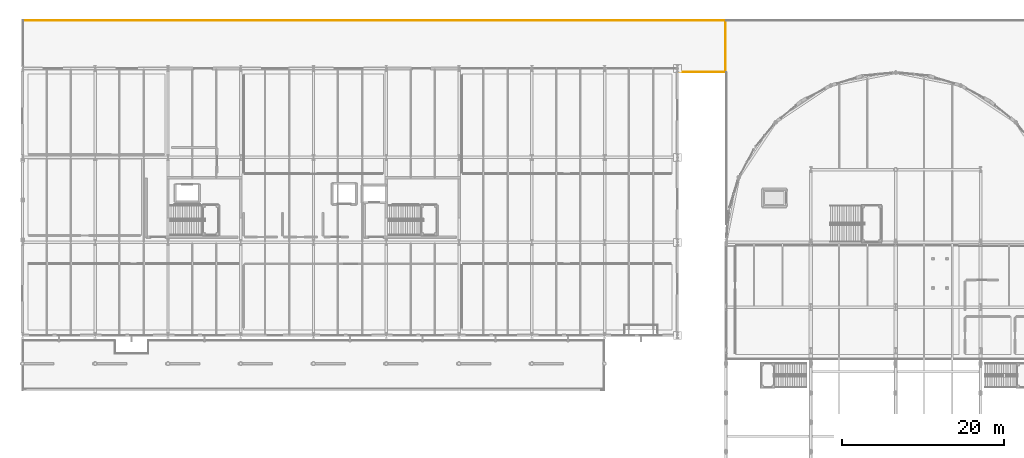
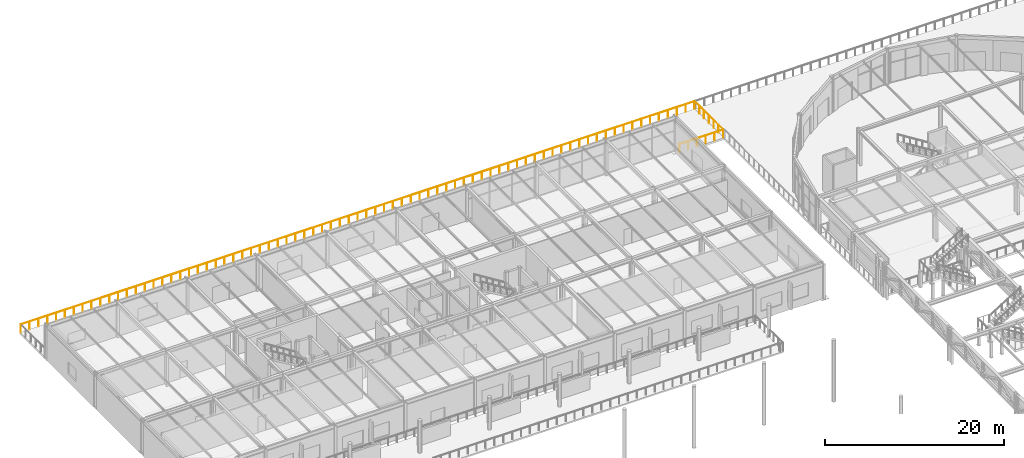
# One storey, part 140 of 143: 1 railing.
"""IFC4 building model written with IfcOpenShell, lengths in metres."""

from ifc_helpers import new_model, si_unit, direction, frame, origin, origin_2d, place, context, subcontext, project, spatial, circle, extrude, material, type_object, element, save


model = new_model("IFC4")

# Units and contexts
model_context = context("Model", 3, precision=1e-05, world=origin(), true_north=direction((0.0, 1.0)))
body_context = subcontext(model_context, "Body", "Model", "MODEL_VIEW")
ifc_project = project(units=[si_unit("LENGTHUNIT", "METRE"), si_unit("AREAUNIT", "SQUARE_METRE"), si_unit("VOLUMEUNIT", "CUBIC_METRE"), si_unit("PLANEANGLEUNIT", "RADIAN"), si_unit("MASSUNIT", "GRAM", prefix="KILO")], contexts=[model_context])

# Site, building, storey
site_placement = place(None, origin())
site = spatial("IfcSite", under=ifc_project, at=site_placement, CompositionType="ELEMENT")
building_placement = place(site_placement, origin())
building = spatial("IfcBuilding", under=site, at=building_placement, Name="Marlcrest Central Station", CompositionType="ELEMENT")
storey_placement = place(building_placement, frame((0.0, 0.0, 4.800048828125)))
storey = spatial("IfcBuildingStorey", under=building, at=storey_placement, Name="L01", CompositionType="ELEMENT", Elevation=4.800048828125)

# Railing
ifc_material = material(Name="Stainless steel and laminated glass concourse balustrade", Category="steel")
railing_type = type_object("IfcRailingType", Name="GR-02", PredefinedType="BALUSTRADE", material=ifc_material)
railing_placement = place(storey_placement, frame((0.06005859375, 137.93994140625, 0.0)))
element("IfcRailing", 1, at=railing_placement, inside=storey, type_object=railing_type, Name="hr-L01-00364", PredefinedType="BALUSTRADE", context=body_context, shape_type="SweptSolid", body=[
    extrude(circle(Radius=0.02392578125, at=origin_2d()), frame((0.0, 0.0, 1.09619140625), z_axis=(1.0, 0.0, 0.0), x_axis=(0.0, 1.0, 0.0)), (0.0, 0.0, 1.0), 86.8798828125),
    extrude(circle(Radius=0.02392578125, at=origin_2d()), frame((86.8798828125, 0.0, 1.09619140625), z_axis=(0.0, -1.0, 0.0), x_axis=(1.0, 0.0, 0.0)), (0.0, 0.0, 1.0), 6.3798828125),
    extrude(circle(Radius=0.02392578125, at=origin_2d()), frame((86.8798828125, -6.3798828125, 1.09619140625), z_axis=(-1.0, 0.0, 0.0), x_axis=(0.0, -1.0, 0.0)), (0.0, 0.0, 1.0), 5.639892578125),
    extrude(circle(Radius=0.02099609375, at=origin_2d()), origin(), (0.0, 0.0, 1.0), 1.072021484375),
    extrude(circle(Radius=0.02099609375, at=origin_2d()), frame((1.14306640625, 0.0, 0.0)), (0.0, 0.0, 1.0), 1.072021484375),
    extrude(circle(Radius=0.02099609375, at=origin_2d()), frame((2.286376953125, 0.0, 0.0)), (0.0, 0.0, 1.0), 1.072021484375),
    extrude(circle(Radius=0.02099609375, at=origin_2d()), frame((3.429443359375, 0.0, 0.0)), (0.0, 0.0, 1.0), 1.072021484375),
    extrude(circle(Radius=0.02099609375, at=origin_2d()), frame((4.572509765625, 0.0, 0.0)), (0.0, 0.0, 1.0), 1.072021484375),
    extrude(circle(Radius=0.02099609375, at=origin_2d()), frame((5.7158203125, 0.0, 0.0)), (0.0, 0.0, 1.0), 1.072021484375),
    extrude(circle(Radius=0.02099609375, at=origin_2d()), frame((6.85888671875, 0.0, 0.0)), (0.0, 0.0, 1.0), 1.072021484375),
    extrude(circle(Radius=0.02099609375, at=origin_2d()), frame((8.002197265625, 0.0, 0.0)), (0.0, 0.0, 1.0), 1.072021484375),
    extrude(circle(Radius=0.02099609375, at=origin_2d()), frame((9.145263671875, 0.0, 0.0)), (0.0, 0.0, 1.0), 1.072021484375),
    extrude(circle(Radius=0.02099609375, at=origin_2d()), frame((10.288330078125, 0.0, 0.0)), (0.0, 0.0, 1.0), 1.072021484375),
    extrude(circle(Radius=0.02099609375, at=origin_2d()), frame((11.431640625, 0.0, 0.0)), (0.0, 0.0, 1.0), 1.072021484375),
    extrude(circle(Radius=0.02099609375, at=origin_2d()), frame((12.57470703125, 0.0, 0.0)), (0.0, 0.0, 1.0), 1.072021484375),
    extrude(circle(Radius=0.02099609375, at=origin_2d()), frame((13.7177734375, 0.0, 0.0)), (0.0, 0.0, 1.0), 1.072021484375),
    extrude(circle(Radius=0.02099609375, at=origin_2d()), frame((14.861083984375, 0.0, 0.0)), (0.0, 0.0, 1.0), 1.072021484375),
    extrude(circle(Radius=0.02099609375, at=origin_2d()), frame((16.004150390625, 0.0, 0.0)), (0.0, 0.0, 1.0), 1.072021484375),
    extrude(circle(Radius=0.02099609375, at=origin_2d()), frame((17.1474609375, 0.0, 0.0)), (0.0, 0.0, 1.0), 1.072021484375),
    extrude(circle(Radius=0.02099609375, at=origin_2d()), frame((18.29052734375, 0.0, 0.0)), (0.0, 0.0, 1.0), 1.072021484375),
    extrude(circle(Radius=0.02099609375, at=origin_2d()), frame((19.43359375, 0.0, 0.0)), (0.0, 0.0, 1.0), 1.072021484375),
    extrude(circle(Radius=0.02099609375, at=origin_2d()), frame((20.576904296875, 0.0, 0.0)), (0.0, 0.0, 1.0), 1.072021484375),
    extrude(circle(Radius=0.02099609375, at=origin_2d()), frame((21.719970703125, 0.0, 0.0)), (0.0, 0.0, 1.0), 1.072021484375),
    extrude(circle(Radius=0.02099609375, at=origin_2d()), frame((22.863037109375, 0.0, 0.0)), (0.0, 0.0, 1.0), 1.072021484375),
    extrude(circle(Radius=0.02099609375, at=origin_2d()), frame((24.00634765625, 0.0, 0.0)), (0.0, 0.0, 1.0), 1.072021484375),
    extrude(circle(Radius=0.02099609375, at=origin_2d()), frame((25.1494140625, 0.0, 0.0)), (0.0, 0.0, 1.0), 1.072021484375),
    extrude(circle(Radius=0.02099609375, at=origin_2d()), frame((26.29248046875, 0.0, 0.0)), (0.0, 0.0, 1.0), 1.072021484375),
    extrude(circle(Radius=0.02099609375, at=origin_2d()), frame((27.435791015625, 0.0, 0.0)), (0.0, 0.0, 1.0), 1.072021484375),
    extrude(circle(Radius=0.02099609375, at=origin_2d()), frame((28.578857421875, 0.0, 0.0)), (0.0, 0.0, 1.0), 1.072021484375),
    extrude(circle(Radius=0.02099609375, at=origin_2d()), frame((29.72216796875, 0.0, 0.0)), (0.0, 0.0, 1.0), 1.072021484375),
    extrude(circle(Radius=0.02099609375, at=origin_2d()), frame((30.865234375, 0.0, 0.0)), (0.0, 0.0, 1.0), 1.072021484375),
    extrude(circle(Radius=0.02099609375, at=origin_2d()), frame((32.00830078125, 0.0, 0.0)), (0.0, 0.0, 1.0), 1.072021484375),
    extrude(circle(Radius=0.02099609375, at=origin_2d()), frame((33.151611328125, 0.0, 0.0)), (0.0, 0.0, 1.0), 1.072021484375),
    extrude(circle(Radius=0.02099609375, at=origin_2d()), frame((34.294677734375, 0.0, 0.0)), (0.0, 0.0, 1.0), 1.072021484375),
    extrude(circle(Radius=0.02099609375, at=origin_2d()), frame((35.437744140625, 0.0, 0.0)), (0.0, 0.0, 1.0), 1.072021484375),
    extrude(circle(Radius=0.02099609375, at=origin_2d()), frame((36.5810546875, 0.0, 0.0)), (0.0, 0.0, 1.0), 1.072021484375),
    extrude(circle(Radius=0.02099609375, at=origin_2d()), frame((37.72412109375, 0.0, 0.0)), (0.0, 0.0, 1.0), 1.072021484375),
    extrude(circle(Radius=0.02099609375, at=origin_2d()), frame((38.867431640625, 0.0, 0.0)), (0.0, 0.0, 1.0), 1.072021484375),
    extrude(circle(Radius=0.02099609375, at=origin_2d()), frame((40.010498046875, 0.0, 0.0)), (0.0, 0.0, 1.0), 1.072021484375),
    extrude(circle(Radius=0.02099609375, at=origin_2d()), frame((41.153564453125, 0.0, 0.0)), (0.0, 0.0, 1.0), 1.072021484375),
    extrude(circle(Radius=0.02099609375, at=origin_2d()), frame((42.296875, 0.0, 0.0)), (0.0, 0.0, 1.0), 1.072021484375),
    extrude(circle(Radius=0.02099609375, at=origin_2d()), frame((43.43994140625, 0.0, 0.0)), (0.0, 0.0, 1.0), 1.072021484375),
    extrude(circle(Radius=0.02099609375, at=origin_2d()), frame((44.5830078125, 0.0, 0.0)), (0.0, 0.0, 1.0), 1.072021484375),
    extrude(circle(Radius=0.02099609375, at=origin_2d()), frame((45.726318359375, 0.0, 0.0)), (0.0, 0.0, 1.0), 1.072021484375),
    extrude(circle(Radius=0.02099609375, at=origin_2d()), frame((46.869384765625, 0.0, 0.0)), (0.0, 0.0, 1.0), 1.072021484375),
    extrude(circle(Radius=0.02099609375, at=origin_2d()), frame((48.012451171875, 0.0, 0.0)), (0.0, 0.0, 1.0), 1.072021484375),
    extrude(circle(Radius=0.02099609375, at=origin_2d()), frame((49.15576171875, 0.0, 0.0)), (0.0, 0.0, 1.0), 1.072021484375),
    extrude(circle(Radius=0.02099609375, at=origin_2d()), frame((50.298828125, 0.0, 0.0)), (0.0, 0.0, 1.0), 1.072021484375),
    extrude(circle(Radius=0.02099609375, at=origin_2d()), frame((51.442138671875, 0.0, 0.0)), (0.0, 0.0, 1.0), 1.072021484375),
    extrude(circle(Radius=0.02099609375, at=origin_2d()), frame((52.585205078125, 0.0, 0.0)), (0.0, 0.0, 1.0), 1.072021484375),
    extrude(circle(Radius=0.02099609375, at=origin_2d()), frame((53.728271484375, 0.0, 0.0)), (0.0, 0.0, 1.0), 1.072021484375),
    extrude(circle(Radius=0.02099609375, at=origin_2d()), frame((54.87158203125, 0.0, 0.0)), (0.0, 0.0, 1.0), 1.072021484375),
    extrude(circle(Radius=0.02099609375, at=origin_2d()), frame((56.0146484375, 0.0, 0.0)), (0.0, 0.0, 1.0), 1.072021484375),
    extrude(circle(Radius=0.02099609375, at=origin_2d()), frame((57.15771484375, 0.0, 0.0)), (0.0, 0.0, 1.0), 1.072021484375),
    extrude(circle(Radius=0.02099609375, at=origin_2d()), frame((58.301025390625, 0.0, 0.0)), (0.0, 0.0, 1.0), 1.072021484375),
    extrude(circle(Radius=0.02099609375, at=origin_2d()), frame((59.444091796875, 0.0, 0.0)), (0.0, 0.0, 1.0), 1.072021484375),
    extrude(circle(Radius=0.02099609375, at=origin_2d()), frame((60.58740234375, 0.0, 0.0)), (0.0, 0.0, 1.0), 1.072021484375),
    extrude(circle(Radius=0.02099609375, at=origin_2d()), frame((61.73046875, 0.0, 0.0)), (0.0, 0.0, 1.0), 1.072021484375),
    extrude(circle(Radius=0.02099609375, at=origin_2d()), frame((62.87353515625, 0.0, 0.0)), (0.0, 0.0, 1.0), 1.072021484375),
    extrude(circle(Radius=0.02099609375, at=origin_2d()), frame((64.016845703125, 0.0, 0.0)), (0.0, 0.0, 1.0), 1.072021484375),
    extrude(circle(Radius=0.02099609375, at=origin_2d()), frame((65.159912109375, 0.0, 0.0)), (0.0, 0.0, 1.0), 1.072021484375),
    extrude(circle(Radius=0.02099609375, at=origin_2d()), frame((66.302978515625, 0.0, 0.0)), (0.0, 0.0, 1.0), 1.072021484375),
    extrude(circle(Radius=0.02099609375, at=origin_2d()), frame((67.4462890625, 0.0, 0.0)), (0.0, 0.0, 1.0), 1.072021484375),
    extrude(circle(Radius=0.02099609375, at=origin_2d()), frame((68.58935546875, 0.0, 0.0)), (0.0, 0.0, 1.0), 1.072021484375),
    extrude(circle(Radius=0.02099609375, at=origin_2d()), frame((69.732421875, 0.0, 0.0)), (0.0, 0.0, 1.0), 1.072021484375),
    extrude(circle(Radius=0.02099609375, at=origin_2d()), frame((70.875732421875, 0.0, 0.0)), (0.0, 0.0, 1.0), 1.072021484375),
    extrude(circle(Radius=0.02099609375, at=origin_2d()), frame((72.018798828125, 0.0, 0.0)), (0.0, 0.0, 1.0), 1.072021484375),
    extrude(circle(Radius=0.02099609375, at=origin_2d()), frame((73.162109375, 0.0, 0.0)), (0.0, 0.0, 1.0), 1.072021484375),
    extrude(circle(Radius=0.02099609375, at=origin_2d()), frame((74.30517578125, 0.0, 0.0)), (0.0, 0.0, 1.0), 1.072021484375),
    extrude(circle(Radius=0.02099609375, at=origin_2d()), frame((75.4482421875, 0.0, 0.0)), (0.0, 0.0, 1.0), 1.072021484375),
    extrude(circle(Radius=0.02099609375, at=origin_2d()), frame((76.591552734375, 0.0, 0.0)), (0.0, 0.0, 1.0), 1.072021484375),
    extrude(circle(Radius=0.02099609375, at=origin_2d()), frame((77.734619140625, 0.0, 0.0)), (0.0, 0.0, 1.0), 1.072021484375),
    extrude(circle(Radius=0.02099609375, at=origin_2d()), frame((78.877685546875, 0.0, 0.0)), (0.0, 0.0, 1.0), 1.072021484375),
    extrude(circle(Radius=0.02099609375, at=origin_2d()), frame((80.02099609375, 0.0, 0.0)), (0.0, 0.0, 1.0), 1.072021484375),
    extrude(circle(Radius=0.02099609375, at=origin_2d()), frame((81.1640625, 0.0, 0.0)), (0.0, 0.0, 1.0), 1.072021484375),
    extrude(circle(Radius=0.02099609375, at=origin_2d()), frame((82.307373046875, 0.0, 0.0)), (0.0, 0.0, 1.0), 1.072021484375),
    extrude(circle(Radius=0.02099609375, at=origin_2d()), frame((83.450439453125, 0.0, 0.0)), (0.0, 0.0, 1.0), 1.072021484375),
    extrude(circle(Radius=0.02099609375, at=origin_2d()), frame((84.593505859375, 0.0, 0.0)), (0.0, 0.0, 1.0), 1.072021484375),
    extrude(circle(Radius=0.02099609375, at=origin_2d()), frame((85.73681640625, 0.0, 0.0)), (0.0, 0.0, 1.0), 1.072021484375),
    extrude(circle(Radius=0.02099609375, at=origin_2d()), frame((86.8798828125, 0.0, 0.0)), (0.0, 0.0, 1.0), 1.072021484375),
    extrude(circle(Radius=0.02099609375, at=origin_2d()), frame((86.8798828125, -1.063232421875, 0.0)), (0.0, 0.0, 1.0), 1.072021484375),
    extrude(circle(Radius=0.02099609375, at=origin_2d()), frame((86.8798828125, -2.126708984375, 0.0)), (0.0, 0.0, 1.0), 1.072021484375),
    extrude(circle(Radius=0.02099609375, at=origin_2d()), frame((86.8798828125, -3.18994140625, 0.0)), (0.0, 0.0, 1.0), 1.072021484375),
    extrude(circle(Radius=0.02099609375, at=origin_2d()), frame((86.8798828125, -4.253173828125, 0.0)), (0.0, 0.0, 1.0), 1.072021484375),
    extrude(circle(Radius=0.02099609375, at=origin_2d()), frame((86.8798828125, -5.316650390625, 0.0)), (0.0, 0.0, 1.0), 1.072021484375),
    extrude(circle(Radius=0.02099609375, at=origin_2d()), frame((86.8798828125, -6.3798828125, 0.0)), (0.0, 0.0, 1.0), 1.072021484375),
    extrude(circle(Radius=0.02099609375, at=origin_2d()), frame((85.751953125, -6.3798828125, 0.0)), (0.0, 0.0, 1.0), 1.072021484375),
    extrude(circle(Radius=0.02099609375, at=origin_2d()), frame((84.6240234375, -6.3798828125, 0.0)), (0.0, 0.0, 1.0), 1.072021484375),
    extrude(circle(Radius=0.02099609375, at=origin_2d()), frame((83.495849609375, -6.3798828125, 0.0)), (0.0, 0.0, 1.0), 1.072021484375),
    extrude(circle(Radius=0.02099609375, at=origin_2d()), frame((82.367919921875, -6.3798828125, 0.0)), (0.0, 0.0, 1.0), 1.072021484375),
    extrude(circle(Radius=0.02099609375, at=origin_2d()), frame((81.239990234375, -6.3798828125, 0.0)), (0.0, 0.0, 1.0), 1.072021484375),
])

save(model, "model.ifc")
